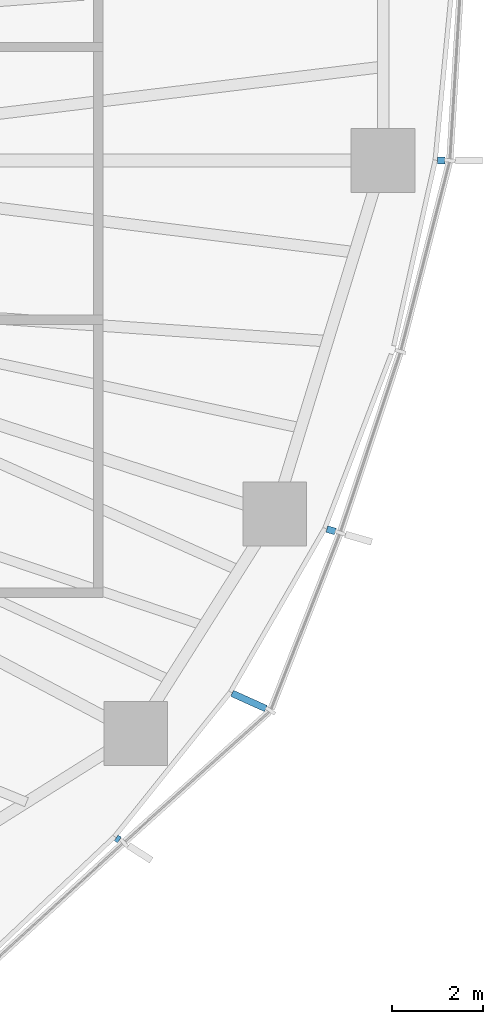
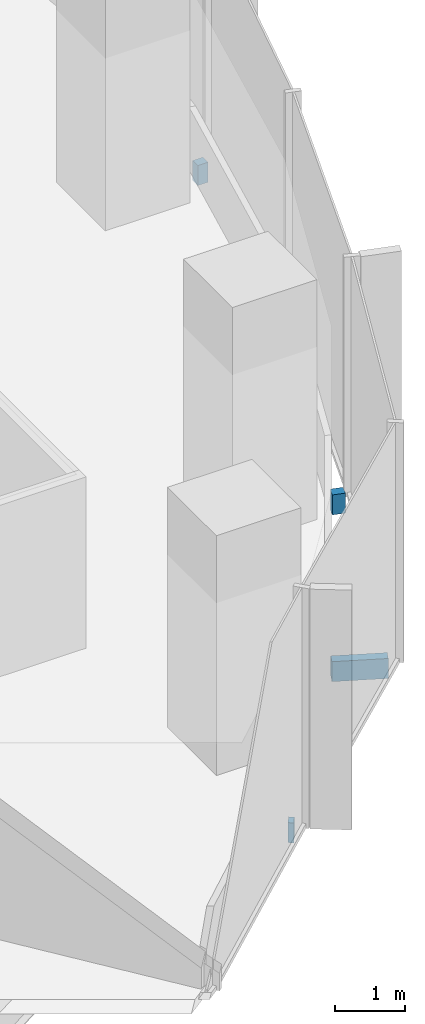
# One storey, part 14 of 18: 4 discrete accessories.
"""IFC4 building model written with IfcOpenShell, lengths in metres."""

from ifc_helpers import new_model, si_unit, direction, frame, origin, origin_2d, place, context, subcontext, project, spatial, rectangle, extrude, material, type_object, element, save


model = new_model("IFC4")

# Units and contexts
model_context = context("Model", 3, precision=1e-05, world=origin(), true_north=direction((0.0, 1.0)))
body_context = subcontext(model_context, "Body", "Model", "MODEL_VIEW")
ifc_project = project(units=[si_unit("LENGTHUNIT", "METRE"), si_unit("AREAUNIT", "SQUARE_METRE"), si_unit("VOLUMEUNIT", "CUBIC_METRE"), si_unit("PLANEANGLEUNIT", "RADIAN"), si_unit("MASSUNIT", "GRAM", prefix="KILO")], contexts=[model_context])

# Site, building, storey
site_placement = place(None, origin())
site = spatial("IfcSite", under=ifc_project, at=site_placement, CompositionType="ELEMENT")
building_placement = place(site_placement, origin())
building = spatial("IfcBuilding", under=site, at=building_placement, Name="Ghaith Harvest Tower", CompositionType="ELEMENT")
storey_placement = place(building_placement, frame((0.0, 0.0, 180.60009765625)))
storey = spatial("IfcBuildingStorey", under=building, at=storey_placement, Name="L39", CompositionType="ELEMENT", Elevation=180.60009765625)

# Discrete accessories
ifc_material_1 = material(Name="Stainless steel grade 1.4401", Category="steel")
discrete_accessory_type_1 = type_object("IfcDiscreteAccessoryType", Name="CURTAIN WALL BRACKET 165", PredefinedType="BRACKET", material=ifc_material_1)
discrete_accessory_1_placement = place(storey_placement, frame((30.5361328125, 0.0, -0.250244140625), z_axis=(0.0, 0.0, 1.0), x_axis=(1.0, 0.0, 0.0)))
element("IfcDiscreteAccessory", 1, at=discrete_accessory_1_placement, inside=storey, type_object=discrete_accessory_type_1, Name="CW-L bracket 1 bay 01 L39", PredefinedType="BRACKET", context=body_context, shape_type="SweptSolid", body=[
    extrude(rectangle(XDim=0.1650390625, YDim=0.14990234375, at=origin_2d()), origin(), (0.0, 0.0, 1.0), 0.35009765625),
])
ifc_material_2 = material(Name="Stainless steel grade 1.4401", Category="steel")
discrete_accessory_type_2 = type_object("IfcDiscreteAccessoryType", Name="CURTAIN WALL BRACKET 195", PredefinedType="BRACKET", material=ifc_material_2)
discrete_accessory_2_placement = place(storey_placement, frame((28.1201171875, -8.127197265625, -0.250244140625), z_axis=(0.0, 0.0, 1.0), x_axis=(0.960680349932, -0.277656739976, 0.0)))
element("IfcDiscreteAccessory", 2, at=discrete_accessory_2_placement, inside=storey, type_object=discrete_accessory_type_2, Name="CW-L bracket 1 bay 20 L39", PredefinedType="BRACKET", context=body_context, shape_type="SweptSolid", body=[
    extrude(rectangle(XDim=0.195068359375, YDim=0.14990234375, at=origin_2d()), origin(), (0.0, 0.0, 1.0), 0.35009765625),
])
ifc_material_3 = material(Name="Stainless steel grade 1.4401", Category="steel")
discrete_accessory_type_3 = type_object("IfcDiscreteAccessoryType", Name="CURTAIN WALL BRACKET 815", PredefinedType="BRACKET", material=ifc_material_3)
discrete_accessory_3_placement = place(storey_placement, frame((26.314697265625, -11.879638671875, -0.250244140625), z_axis=(0.0, 0.0, 1.0), x_axis=(0.911426750831, -0.41146236507, 0.0)))
element("IfcDiscreteAccessory", 3, at=discrete_accessory_3_placement, inside=storey, type_object=discrete_accessory_type_3, Name="CW-L bracket 2 bay 19 L39", PredefinedType="BRACKET", context=body_context, shape_type="SweptSolid", body=[
    extrude(rectangle(XDim=0.81494140625, YDim=0.14990234375, at=origin_2d()), origin(), (0.0, 0.0, 1.0), 0.35009765625),
])
ifc_material_4 = material(Name="Stainless steel grade 1.4401", Category="steel")
discrete_accessory_type_4 = type_object("IfcDiscreteAccessoryType", Name="CURTAIN WALL BRACKET 85", PredefinedType="BRACKET", material=ifc_material_4)
discrete_accessory_4_placement = place(storey_placement, frame((23.431884765625, -14.912353515625, -0.250244140625), z_axis=(0.0, 0.0, 1.0), x_axis=(0.84364397137, -0.536903016913, 0.0)))
element("IfcDiscreteAccessory", 4, at=discrete_accessory_4_placement, inside=storey, type_object=discrete_accessory_type_4, Name="CW-L bracket 1 bay 19 L39", PredefinedType="BRACKET", context=body_context, shape_type="SweptSolid", body=[
    extrude(rectangle(XDim=0.0849609375, YDim=0.14990234375, at=origin_2d()), origin(), (0.0, 0.0, 1.0), 0.35009765625),
])

save(model, "model.ifc")
